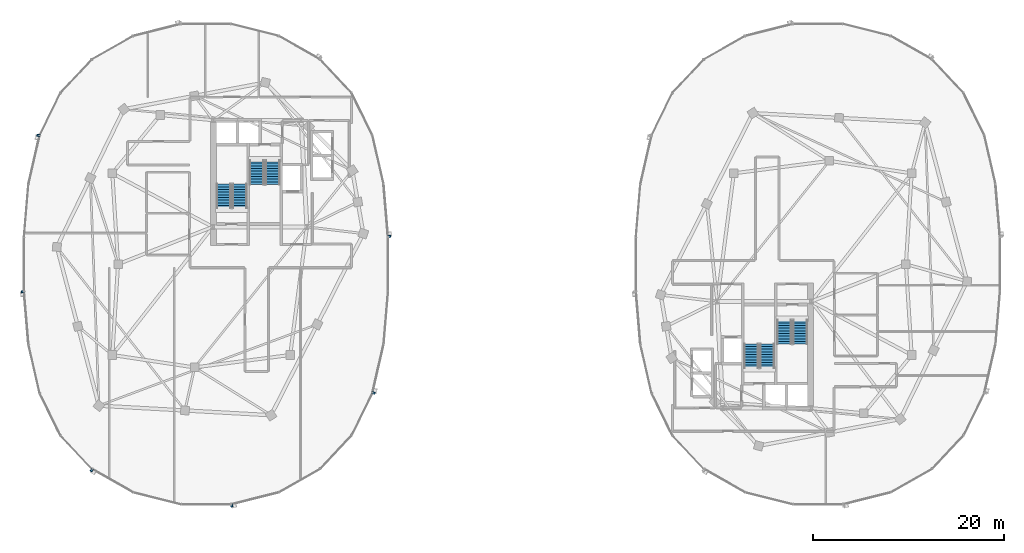
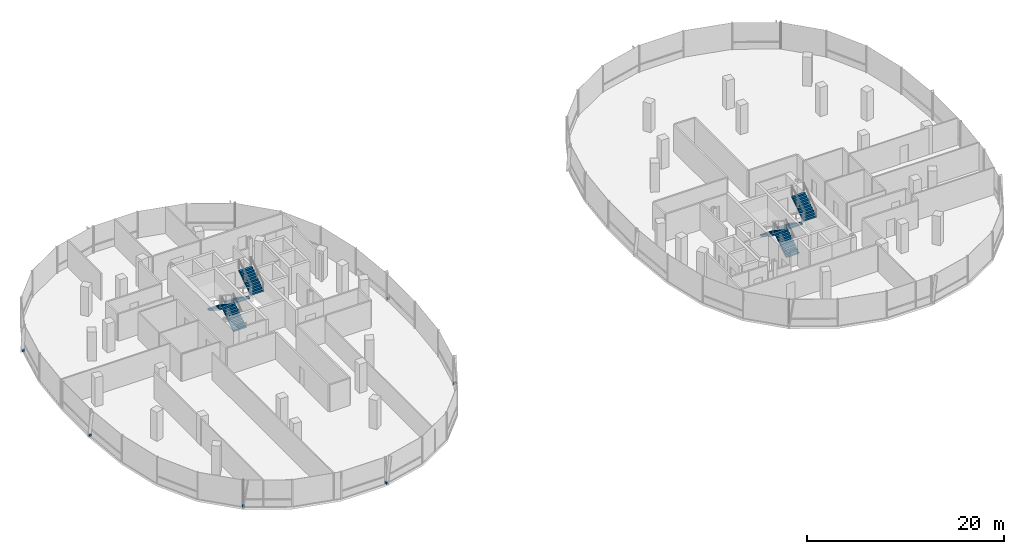
# One storey, part 18 of 25: 8 stair flights, 6 discrete accessories, 4 elements without a shape of their own.
"""IFC4 building model written with IfcOpenShell, lengths in metres."""

from ifc_helpers import new_model, si_unit, direction, frame, origin, origin_2d, place, context, subcontext, project, spatial, polyline, rectangle, outline, extrude, material, type_object, element, aggregate, save


model = new_model("IFC4")

# Units and contexts
model_context = context("Model", 3, precision=1e-05, world=origin(), true_north=direction((0.0, 1.0)))
body_context = subcontext(model_context, "Body", "Model", "MODEL_VIEW")
ifc_project = project(units=[si_unit("LENGTHUNIT", "METRE"), si_unit("AREAUNIT", "SQUARE_METRE"), si_unit("VOLUMEUNIT", "CUBIC_METRE"), si_unit("PLANEANGLEUNIT", "RADIAN"), si_unit("MASSUNIT", "GRAM", prefix="KILO"), si_unit("THERMODYNAMICTEMPERATUREUNIT", "KELVIN"), si_unit("POWERUNIT", "WATT")], contexts=[model_context])

# Site, building, storey
site_placement = place(None, origin())
site = spatial("IfcSite", under=ifc_project, at=site_placement, CompositionType="ELEMENT")
building_placement = place(site_placement, origin())
building = spatial("IfcBuilding", under=site, at=building_placement, Name="Cundina Bronze Exchange", CompositionType="ELEMENT")
storey_placement = place(building_placement, frame((0.0, 0.0, 195.39990234375)))
storey = spatial("IfcBuildingStorey", under=building, at=storey_placement, Name="L51", CompositionType="ELEMENT", Elevation=195.39990234375)

# Stair, stair flights
ifc_material_1 = material(Name="Concrete C40/50", Category="concrete")
stair_type = type_object("IfcStairType", Name="STR-OFF-360", PredefinedType="HALF_TURN_STAIR", material=ifc_material_1)
stair_1_placement = place(storey_placement, origin())
stair_1 = element("IfcStair", 1, at=stair_1_placement, inside=storey, type_object=stair_type, Name="L51 Smokeproof Exit Stair W1", PredefinedType="HALF_TURN_STAIR")
stair_flight_type = type_object("IfcStairFlightType", Name="FLG-OFF-180", PredefinedType="STRAIGHT", material=ifc_material_1)
stair_flight_1_placement = place(storey_placement, frame((-28.489990234375, 5.85009765625, 0.0), z_axis=(0.0, 0.0, 1.0), x_axis=(0.0, 1.0, 0.0)))
stair_flight_1 = element("IfcStairFlight", 2, at=stair_flight_1_placement, type_object=stair_flight_type, Name="ST-W1 flight 1", NumberOfRisers=10, NumberOfTreads=9, PredefinedType="STRAIGHT", RiserHeight=0.18, TreadLength=0.28, context=body_context, shape_type="SweptSolid", body=[
    extrude(outline(polyline([(0.0, 0.0), (0.0, 0.179931640625), (0.280029296875, 0.179931640625), (0.280029296875, 0.360107421875), (0.56005859375, 0.360107421875), (0.56005859375, 0.5400390625), (0.840087890625, 0.5400390625), (0.840087890625, 0.719970703125), (1.1201171875, 0.719970703125), (1.1201171875, 0.89990234375), (1.39990234375, 0.89990234375), (1.39990234375, 1.080078125), (1.679931640625, 1.080078125), (1.679931640625, 1.260009765625), (1.9599609375, 1.260009765625), (1.9599609375, 1.43994140625), (2.239990234375, 1.43994140625), (2.239990234375, 1.6201171875), (2.52001953125, 1.6201171875), (2.52001953125, 1.800048828125), (2.52001953125, 1.44189453125), (0.277099609375, 0.0), (0.0, 0.0)])), frame((0.0, 0.75, 0.0), z_axis=(0.0, -1.0, 0.0), x_axis=(1.0, 0.0, 0.0)), (0.0, 0.0, 1.0), 1.5),
])
stair_flight_2_placement = place(storey_placement, frame((-30.14990234375, 8.3701171875, 1.800048828125), z_axis=(0.0, 0.0, 1.0), x_axis=(0.0, -1.0, 0.0)))
stair_flight_2 = element("IfcStairFlight", 3, at=stair_flight_2_placement, type_object=stair_flight_type, Name="ST-W1 flight 2", NumberOfRisers=10, NumberOfTreads=9, PredefinedType="STRAIGHT", RiserHeight=0.18, TreadLength=0.28, context=body_context, shape_type="SweptSolid", body=[
    extrude(outline(polyline([(0.0, 0.0), (0.0, 0.179931640625), (0.280029296875, 0.179931640625), (0.280029296875, 0.360107421875), (0.56005859375, 0.360107421875), (0.56005859375, 0.5400390625), (0.840087890625, 0.5400390625), (0.840087890625, 0.719970703125), (1.1201171875, 0.719970703125), (1.1201171875, 0.89990234375), (1.39990234375, 0.89990234375), (1.39990234375, 1.080078125), (1.679931640625, 1.080078125), (1.679931640625, 1.260009765625), (1.9599609375, 1.260009765625), (1.9599609375, 1.43994140625), (2.239990234375, 1.43994140625), (2.239990234375, 1.6201171875), (2.52001953125, 1.6201171875), (2.52001953125, 1.800048828125), (2.52001953125, 1.44189453125), (0.277099609375, 0.0), (0.0, 0.0)])), frame((0.0, 0.75, 0.0), z_axis=(0.0, -1.0, 0.0), x_axis=(1.0, 0.0, 0.0)), (0.0, 0.0, 1.0), 1.5),
])
aggregate(stair_1, [stair_flight_1, stair_flight_2])

stair_2_placement = place(storey_placement, origin())
stair_2 = element("IfcStair", 4, at=stair_2_placement, inside=storey, type_object=stair_type, Name="L51 Smokeproof Exit Stair W2", PredefinedType="HALF_TURN_STAIR")
stair_flight_3_placement = place(storey_placement, frame((-26.68994140625, 10.85009765625, 0.0), z_axis=(0.0, 0.0, 1.0), x_axis=(0.0, -1.0, 0.0)))
stair_flight_3 = element("IfcStairFlight", 5, at=stair_flight_3_placement, type_object=stair_flight_type, Name="ST-W2 flight 1", NumberOfRisers=10, NumberOfTreads=9, PredefinedType="STRAIGHT", RiserHeight=0.18, TreadLength=0.28, context=body_context, shape_type="SweptSolid", body=[
    extrude(outline(polyline([(0.0, 0.0), (0.0, 0.179931640625), (0.280029296875, 0.179931640625), (0.280029296875, 0.360107421875), (0.56005859375, 0.360107421875), (0.56005859375, 0.5400390625), (0.840087890625, 0.5400390625), (0.840087890625, 0.719970703125), (1.1201171875, 0.719970703125), (1.1201171875, 0.89990234375), (1.39990234375, 0.89990234375), (1.39990234375, 1.080078125), (1.679931640625, 1.080078125), (1.679931640625, 1.260009765625), (1.9599609375, 1.260009765625), (1.9599609375, 1.43994140625), (2.239990234375, 1.43994140625), (2.239990234375, 1.6201171875), (2.52001953125, 1.6201171875), (2.52001953125, 1.800048828125), (2.52001953125, 1.44189453125), (0.277099609375, 0.0), (0.0, 0.0)])), frame((0.0, 0.75, 0.0), z_axis=(0.0, -1.0, 0.0), x_axis=(1.0, 0.0, 0.0)), (0.0, 0.0, 1.0), 1.5),
])
stair_flight_4_placement = place(storey_placement, frame((-25.030029296875, 8.330078125, 1.800048828125), z_axis=(0.0, 0.0, 1.0), x_axis=(0.0, 1.0, 0.0)))
stair_flight_4 = element("IfcStairFlight", 6, at=stair_flight_4_placement, type_object=stair_flight_type, Name="ST-W2 flight 2", NumberOfRisers=10, NumberOfTreads=9, PredefinedType="STRAIGHT", RiserHeight=0.18, TreadLength=0.28, context=body_context, shape_type="SweptSolid", body=[
    extrude(outline(polyline([(0.0, 0.0), (0.0, 0.179931640625), (0.280029296875, 0.179931640625), (0.280029296875, 0.360107421875), (0.56005859375, 0.360107421875), (0.56005859375, 0.5400390625), (0.840087890625, 0.5400390625), (0.840087890625, 0.719970703125), (1.1201171875, 0.719970703125), (1.1201171875, 0.89990234375), (1.39990234375, 0.89990234375), (1.39990234375, 1.080078125), (1.679931640625, 1.080078125), (1.679931640625, 1.260009765625), (1.9599609375, 1.260009765625), (1.9599609375, 1.43994140625), (2.239990234375, 1.43994140625), (2.239990234375, 1.6201171875), (2.52001953125, 1.6201171875), (2.52001953125, 1.800048828125), (2.52001953125, 1.44189453125), (0.277099609375, 0.0), (0.0, 0.0)])), frame((0.0, 0.75, 0.0), z_axis=(0.0, -1.0, 0.0), x_axis=(1.0, 0.0, 0.0)), (0.0, 0.0, 1.0), 1.5),
])
aggregate(stair_2, [stair_flight_3, stair_flight_4])

stair_3_placement = place(storey_placement, origin())
stair_3 = element("IfcStair", 7, at=stair_3_placement, inside=storey, type_object=stair_type, Name="L51 Smokeproof Exit Stair E1", PredefinedType="HALF_TURN_STAIR")
stair_flight_5_placement = place(storey_placement, frame((28.489990234375, -5.85009765625, 0.0), z_axis=(0.0, 0.0, 1.0), x_axis=(0.0, -1.0, 0.0)))
stair_flight_5 = element("IfcStairFlight", 8, at=stair_flight_5_placement, type_object=stair_flight_type, Name="ST-E1 flight 1", NumberOfRisers=10, NumberOfTreads=9, PredefinedType="STRAIGHT", RiserHeight=0.18, TreadLength=0.28, context=body_context, shape_type="SweptSolid", body=[
    extrude(outline(polyline([(0.0, 0.0), (0.0, 0.179931640625), (0.280029296875, 0.179931640625), (0.280029296875, 0.360107421875), (0.56005859375, 0.360107421875), (0.56005859375, 0.5400390625), (0.840087890625, 0.5400390625), (0.840087890625, 0.719970703125), (1.1201171875, 0.719970703125), (1.1201171875, 0.89990234375), (1.39990234375, 0.89990234375), (1.39990234375, 1.080078125), (1.679931640625, 1.080078125), (1.679931640625, 1.260009765625), (1.9599609375, 1.260009765625), (1.9599609375, 1.43994140625), (2.239990234375, 1.43994140625), (2.239990234375, 1.6201171875), (2.52001953125, 1.6201171875), (2.52001953125, 1.800048828125), (2.52001953125, 1.44189453125), (0.277099609375, 0.0), (0.0, 0.0)])), frame((0.0, 0.75, 0.0), z_axis=(0.0, -1.0, 0.0), x_axis=(1.0, 0.0, 0.0)), (0.0, 0.0, 1.0), 1.5),
])
stair_flight_6_placement = place(storey_placement, frame((30.14990234375, -8.3701171875, 1.800048828125), z_axis=(0.0, 0.0, 1.0), x_axis=(0.0, 1.0, 0.0)))
stair_flight_6 = element("IfcStairFlight", 9, at=stair_flight_6_placement, type_object=stair_flight_type, Name="ST-E1 flight 2", NumberOfRisers=10, NumberOfTreads=9, PredefinedType="STRAIGHT", RiserHeight=0.18, TreadLength=0.28, context=body_context, shape_type="SweptSolid", body=[
    extrude(outline(polyline([(0.0, 0.0), (0.0, 0.179931640625), (0.280029296875, 0.179931640625), (0.280029296875, 0.360107421875), (0.56005859375, 0.360107421875), (0.56005859375, 0.5400390625), (0.840087890625, 0.5400390625), (0.840087890625, 0.719970703125), (1.1201171875, 0.719970703125), (1.1201171875, 0.89990234375), (1.39990234375, 0.89990234375), (1.39990234375, 1.080078125), (1.679931640625, 1.080078125), (1.679931640625, 1.260009765625), (1.9599609375, 1.260009765625), (1.9599609375, 1.43994140625), (2.239990234375, 1.43994140625), (2.239990234375, 1.6201171875), (2.52001953125, 1.6201171875), (2.52001953125, 1.800048828125), (2.52001953125, 1.44189453125), (0.277099609375, 0.0), (0.0, 0.0)])), frame((0.0, 0.75, 0.0), z_axis=(0.0, -1.0, 0.0), x_axis=(1.0, 0.0, 0.0)), (0.0, 0.0, 1.0), 1.5),
])
aggregate(stair_3, [stair_flight_5, stair_flight_6])

stair_4_placement = place(storey_placement, origin())
stair_4 = element("IfcStair", 10, at=stair_4_placement, inside=storey, type_object=stair_type, Name="L51 Smokeproof Exit Stair E2", PredefinedType="HALF_TURN_STAIR")
stair_flight_7_placement = place(storey_placement, frame((26.68994140625, -10.85009765625, 0.0), z_axis=(0.0, 0.0, 1.0), x_axis=(0.0, 1.0, 0.0)))
stair_flight_7 = element("IfcStairFlight", 11, at=stair_flight_7_placement, type_object=stair_flight_type, Name="ST-E2 flight 1", NumberOfRisers=10, NumberOfTreads=9, PredefinedType="STRAIGHT", RiserHeight=0.18, TreadLength=0.28, context=body_context, shape_type="SweptSolid", body=[
    extrude(outline(polyline([(0.0, 0.0), (0.0, 0.179931640625), (0.280029296875, 0.179931640625), (0.280029296875, 0.360107421875), (0.56005859375, 0.360107421875), (0.56005859375, 0.5400390625), (0.840087890625, 0.5400390625), (0.840087890625, 0.719970703125), (1.1201171875, 0.719970703125), (1.1201171875, 0.89990234375), (1.39990234375, 0.89990234375), (1.39990234375, 1.080078125), (1.679931640625, 1.080078125), (1.679931640625, 1.260009765625), (1.9599609375, 1.260009765625), (1.9599609375, 1.43994140625), (2.239990234375, 1.43994140625), (2.239990234375, 1.6201171875), (2.52001953125, 1.6201171875), (2.52001953125, 1.800048828125), (2.52001953125, 1.44189453125), (0.277099609375, 0.0), (0.0, 0.0)])), frame((0.0, 0.75, 0.0), z_axis=(0.0, -1.0, 0.0), x_axis=(1.0, 0.0, 0.0)), (0.0, 0.0, 1.0), 1.5),
])
stair_flight_8_placement = place(storey_placement, frame((25.030029296875, -8.330078125, 1.800048828125), z_axis=(0.0, 0.0, 1.0), x_axis=(0.0, -1.0, 0.0)))
stair_flight_8 = element("IfcStairFlight", 12, at=stair_flight_8_placement, type_object=stair_flight_type, Name="ST-E2 flight 2", NumberOfRisers=10, NumberOfTreads=9, PredefinedType="STRAIGHT", RiserHeight=0.18, TreadLength=0.28, context=body_context, shape_type="SweptSolid", body=[
    extrude(outline(polyline([(0.0, 0.0), (0.0, 0.179931640625), (0.280029296875, 0.179931640625), (0.280029296875, 0.360107421875), (0.56005859375, 0.360107421875), (0.56005859375, 0.5400390625), (0.840087890625, 0.5400390625), (0.840087890625, 0.719970703125), (1.1201171875, 0.719970703125), (1.1201171875, 0.89990234375), (1.39990234375, 0.89990234375), (1.39990234375, 1.080078125), (1.679931640625, 1.080078125), (1.679931640625, 1.260009765625), (1.9599609375, 1.260009765625), (1.9599609375, 1.43994140625), (2.239990234375, 1.43994140625), (2.239990234375, 1.6201171875), (2.52001953125, 1.6201171875), (2.52001953125, 1.800048828125), (2.52001953125, 1.44189453125), (0.277099609375, 0.0), (0.0, 0.0)])), frame((0.0, 0.75, 0.0), z_axis=(0.0, -1.0, 0.0), x_axis=(1.0, 0.0, 0.0)), (0.0, 0.0, 1.0), 1.5),
])
aggregate(stair_4, [stair_flight_7, stair_flight_8])

# Discrete accessories
ifc_material_2 = material(Name="Anodised Bronze Aluminium 6063-T6", Category="aluminium")
discrete_accessory_type = type_object("IfcDiscreteAccessoryType", Name="ACC-BRK-FIN", PredefinedType="BRACKET", material=ifc_material_2)
for number, where, z_axis, x_axis, name in (
    (13, (-12.84521484375, 2.893798828125, 0.10009765625), (0.0, 0.0, 1.0), (-0.083747411454, 0.996487015006, 0.0), "L51 Fin Support Bracket 1"),
    (14, (-49.529541015625, 13.468505859375, 0.10009765625), (0.0, 0.0, 1.0), (-0.223284141459, -0.974753400698, 0.0), "L51 Fin Support Bracket 5"),
    (15, (-51.15478515625, -2.893798828125, 0.10009765625), (0.0, 0.0, 1.0), (0.083747411454, -0.996487015006, 0.0), "L51 Fin Support Bracket 1"),
    (16, (-43.961181640625, -21.539794921875, 0.10009765625), (0.0, 0.0, 1.0), (0.869572506985, -0.493805280547, 0.0), "L51 Fin Support Bracket 5"),
    (17, (-29.321044921875, -25.23779296875, 0.10009765625), (0.0, 0.0, 1.0), (0.969731542251, 0.244173577528, 0.0), "L51 Fin Support Bracket 1"),
    (18, (-14.470458984375, -13.468505859375, 0.10009765625), (0.0, 0.0, 1.0), (0.223284141459, 0.974753400698, 0.0), "L51 Fin Support Bracket 5"),
):
    element("IfcDiscreteAccessory", number, at=place(storey_placement, frame(where, z_axis=z_axis, x_axis=x_axis)), inside=storey, type_object=discrete_accessory_type, Name=name, PredefinedType="BRACKET", context=body_context, shape_type="SweptSolid", body=[
        extrude(rectangle(XDim=0.219970703125, YDim=0.320068359375, at=origin_2d()), origin(), (0.0, 0.0, 1.0), 0.239990234375),
    ])

save(model, "model.ifc")
